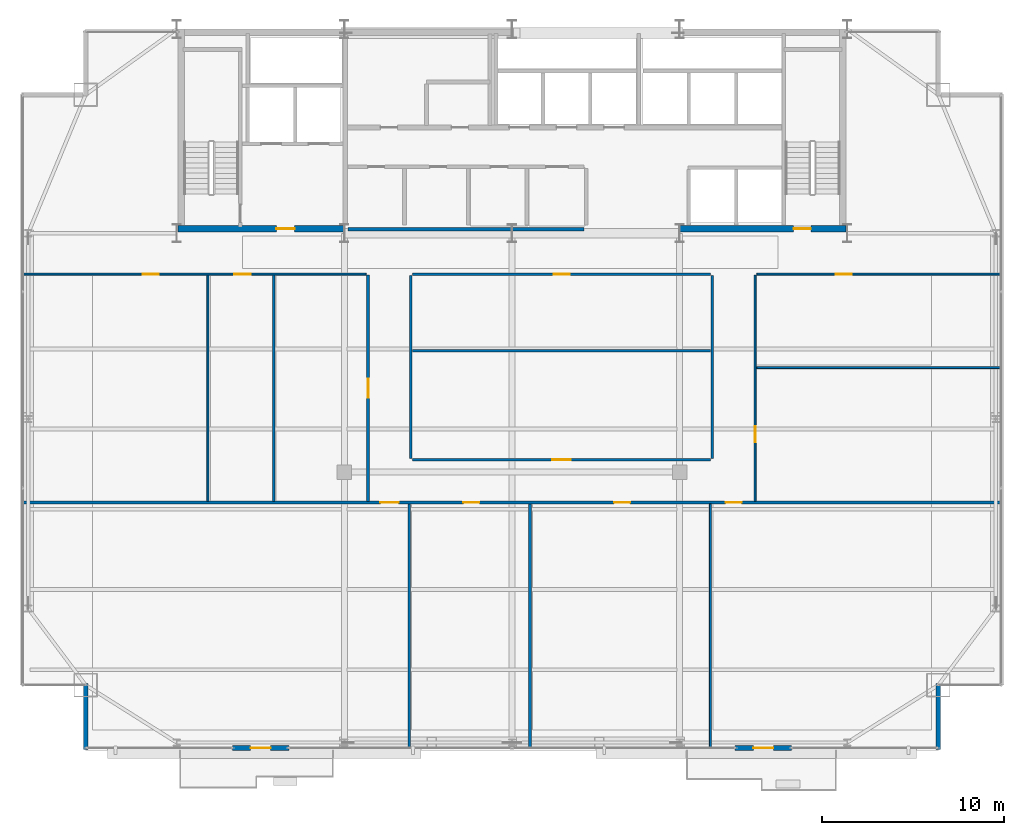
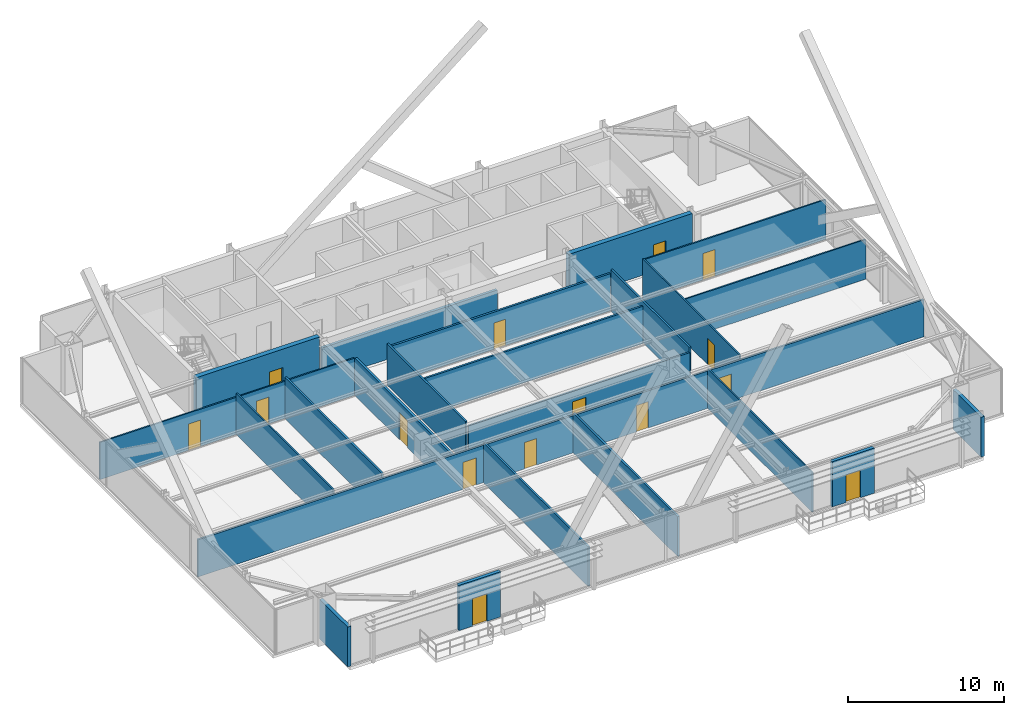
# One storey, part 30 of 34: 23 walls, 15 doors, 15 openings.
"""IFC4 building model written with IfcOpenShell, lengths in metres."""

from ifc_helpers import new_model, si_unit, direction, frame, frame_2d, origin, place, context, subcontext, project, spatial, rectangle, extrude, source, transform, mapped, material, layer, layer_set, type_object, type_shapes, element, fill, save


model = new_model("IFC4")

# Units and contexts
model_context = context("Model", 3, precision=1e-05, world=origin(), true_north=direction((0.0, 1.0)))
body_context = subcontext(model_context, "Body", "Model", "MODEL_VIEW")
ifc_project = project(units=[si_unit("LENGTHUNIT", "METRE"), si_unit("AREAUNIT", "SQUARE_METRE"), si_unit("VOLUMEUNIT", "CUBIC_METRE"), si_unit("PLANEANGLEUNIT", "RADIAN"), si_unit("MASSUNIT", "GRAM", prefix="KILO")], contexts=[model_context])

# Site, building, storey
site_placement = place(None, origin())
site = spatial("IfcSite", under=ifc_project, at=site_placement, CompositionType="ELEMENT")
building_placement = place(site_placement, origin())
building = spatial("IfcBuilding", under=site, at=building_placement, Name="Varnel Quay Broadcast Tower", CompositionType="ELEMENT")
storey_placement = place(building_placement, frame((0.0, 0.0, 176.199951171875)))
storey = spatial("IfcBuildingStorey", under=building, at=storey_placement, Name="L43", CompositionType="ELEMENT", Elevation=176.199951171875)

# Wall, opening, door
ifc_material_1 = material(Name="Concrete CSA A23.3 C50/60", Category="concrete")
ifc_layer_1 = layer(ifc_material_1, 0.35009765625, Name="Concrete CSA A23.3 C50/60")
ifc_layer_set_1 = layer_set([ifc_layer_1], Name="Concrete CSA A23.3 C50/60")
wall_type_1 = type_object("IfcWallType", Name="Wall_CoreShearInt350", PredefinedType="SHEAR", material=ifc_layer_set_1)
wall_1_placement = place(storey_placement, frame((15.669921875, 35.844970703125, 0.0), z_axis=(0.0, 0.0, 1.0), x_axis=(1.0, 0.0, 0.0)))
wall_1 = element("IfcWall", 1, at=wall_1_placement, inside=storey, type_object=wall_type_1, Name="L43 South-West Core Shear Wall", PredefinedType="SHEAR", context=body_context, shape_type="SweptSolid", body=[
    extrude(rectangle(XDim=9.130126953125, YDim=0.35009765625, at=frame_2d((4.56494140625, 0.0))), origin(), (0.0, 0.0, 1.0), 3.550048828125),
])
opening_1_placement = place(wall_1_placement, frame((5.39990234375, 0.0, 0.0)))
opening_1 = element("IfcOpeningElement", 2, at=opening_1_placement, cuts=wall_1, Name="Opening D-L43-FFL", PredefinedType="OPENING", context=body_context, shape_type="SweptSolid", body=[
    extrude(rectangle(XDim=1.0, YDim=2.10009765625, at=frame_2d((0.5, 1.050048828125))), frame((0.0, 0.18505859375, 0.0), z_axis=(0.0, -1.0, 0.0), x_axis=(1.0, 0.0, 0.0)), (0.0, 0.0, 1.0), 0.3701171875),
])
ifc_material_2 = material(Name="Insulated Fire-Rated Hollow Steel Door", Category="steel")
door_type_1 = type_object("IfcDoorType", Name="Door_FireLobby1000", OperationType="NOTDEFINED", PredefinedType="DOOR", material=ifc_material_2)
shared_shape_1 = source(origin(), body_context, "Body", "SweptSolid", [
    extrude(rectangle(XDim=1.0, YDim=2.10009765625, at=frame_2d((0.5, 1.050048828125))), frame((0.0, 0.02490234375, 0.0), z_axis=(0.0, -1.0, 0.0), x_axis=(1.0, 0.0, 0.0)), (0.0, 0.0, 1.0), 0.050048828125),
])
type_shapes(door_type_1, [shared_shape_1])
door_1_placement = place(opening_1_placement, origin())
door_1 = element("IfcDoor", 3, at=door_1_placement, inside=storey, type_object=door_type_1, Name="L43 Firefighting Lobby Door", OperationType="SINGLE_SWING_LEFT", OverallHeight=2.10009765625, OverallWidth=1.0, PredefinedType="DOOR", context=body_context, shape_type="MappedRepresentation", body=[
    mapped(shared_shape_1, transform((0.0, 0.0, 0.0), x_axis=(1.0, 0.0, 0.0), y_axis=(0.0, 1.0, 0.0), z_axis=(0.0, 0.0, 1.0), scale=1.0)),
])
fill(opening_1, door_1)

wall_2_placement = place(storey_placement, frame((43.199951171875, 35.844970703125, 0.0), z_axis=(0.0, 0.0, 1.0), x_axis=(1.0, 0.0, 0.0)))
wall_2 = element("IfcWall", 4, at=wall_2_placement, inside=storey, type_object=wall_type_1, Name="L43 South-East Core Shear Wall", PredefinedType="SHEAR", context=body_context, shape_type="SweptSolid", body=[
    extrude(rectangle(XDim=9.130126953125, YDim=0.35009765625, at=frame_2d((4.56494140625, 0.0))), origin(), (0.0, 0.0, 1.0), 3.550048828125),
])
opening_2_placement = place(wall_2_placement, frame((6.25, 0.0, 0.0)))
opening_2 = element("IfcOpeningElement", 5, at=opening_2_placement, cuts=wall_2, Name="Opening D-L43-S2", PredefinedType="OPENING", context=body_context, shape_type="SweptSolid", body=[
    extrude(rectangle(XDim=0.949951171875, YDim=2.10009765625, at=frame_2d((0.47509765625, 1.050048828125))), frame((0.0, 0.18505859375, 0.0), z_axis=(0.0, -1.0, 0.0), x_axis=(1.0, 0.0, 0.0)), (0.0, 0.0, 1.0), 0.3701171875),
])
door_type_2 = type_object("IfcDoorType", Name="Door_FireStair950", OperationType="NOTDEFINED", PredefinedType="DOOR", material=ifc_material_2)
shared_shape_2 = source(origin(), body_context, "Body", "SweptSolid", [
    extrude(rectangle(XDim=0.949951171875, YDim=2.10009765625, at=frame_2d((0.47509765625, 1.050048828125))), frame((0.0, 0.02490234375, 0.0), z_axis=(0.0, -1.0, 0.0), x_axis=(1.0, 0.0, 0.0)), (0.0, 0.0, 1.0), 0.050048828125),
])
type_shapes(door_type_2, [shared_shape_2])
door_2_placement = place(opening_2_placement, origin())
door_2 = element("IfcDoor", 6, at=door_2_placement, inside=storey, type_object=door_type_2, Name="L43 Stair 2 Fire Door", OperationType="SINGLE_SWING_RIGHT", OverallHeight=2.10009765625, OverallWidth=0.949951171875, PredefinedType="DOOR", context=body_context, shape_type="MappedRepresentation", body=[
    mapped(shared_shape_2, transform((0.0, 0.0, 0.0), x_axis=(1.0, 0.0, 0.0), y_axis=(0.0, 1.0, 0.0), z_axis=(0.0, 0.0, 1.0), scale=1.0)),
])
fill(opening_2, door_2)

ifc_material_3 = material(Name="Precast Architectural Concrete C40/50", Category="concrete")
ifc_layer_2 = layer(ifc_material_3, 0.25, Name="Precast Architectural Concrete C40/50")
ifc_layer_set_2 = layer_set([ifc_layer_2], Name="Precast Architectural Concrete C40/50")
wall_type_2 = type_object("IfcWallType", Name="Wall_ExtTerrace250", PredefinedType="SOLIDWALL", material=ifc_layer_set_2)
wall_3_placement = place(storey_placement, frame((18.64990234375, 7.35009765625, 0.0), z_axis=(0.0, 0.0, 1.0), x_axis=(1.0, 0.0, 0.0)))
wall_3 = element("IfcWall", 7, at=wall_3_placement, inside=storey, type_object=wall_type_2, Name="L43 Terrace Access Wall 1", PredefinedType="SOLIDWALL", context=body_context, shape_type="SweptSolid", body=[
    extrude(rectangle(XDim=3.10009765625, YDim=0.25, at=frame_2d((1.550048828125, 0.0))), origin(), (0.0, 0.0, 1.0), 3.530029296875),
])
opening_3_placement = place(wall_3_placement, frame((1.0, 0.0, 0.0)))
opening_3 = element("IfcOpeningElement", 8, at=opening_3_placement, cuts=wall_3, Name="Opening TD-431", PredefinedType="OPENING", context=body_context, shape_type="SweptSolid", body=[
    extrude(rectangle(XDim=1.10009765625, YDim=2.14990234375, at=frame_2d((0.550048828125, 1.074951171875))), frame((0.0, 0.135009765625, 0.0), z_axis=(0.0, -1.0, 0.0), x_axis=(1.0, 0.0, 0.0)), (0.0, 0.0, 1.0), 0.27001953125),
])
ifc_material_4 = material(Name="Anodised Bronze Aluminium 6063-T6", Category="aluminium")
door_type_3 = type_object("IfcDoorType", Name="Door_ExtTerrace1100", OperationType="NOTDEFINED", PredefinedType="DOOR", material=ifc_material_4)
shared_shape_3 = source(origin(), body_context, "Body", "SweptSolid", [
    extrude(rectangle(XDim=1.10009765625, YDim=2.14990234375, at=frame_2d((0.550048828125, 1.074951171875))), frame((0.0, 0.02490234375, 0.0), z_axis=(0.0, -1.0, 0.0), x_axis=(1.0, 0.0, 0.0)), (0.0, 0.0, 1.0), 0.050048828125),
])
type_shapes(door_type_3, [shared_shape_3])
door_3_placement = place(opening_3_placement, frame((1.10009765625, 0.0, 0.0), z_axis=(0.0, 0.0, 1.0), x_axis=(-1.0, 0.0, 0.0)))
door_3 = element("IfcDoor", 9, at=door_3_placement, inside=storey, type_object=door_type_3, Name="L43 Terrace Door TD-431", OperationType="SINGLE_SWING_LEFT", OverallHeight=2.14990234375, OverallWidth=1.10009765625, PredefinedType="DOOR", context=body_context, shape_type="MappedRepresentation", body=[
    mapped(shared_shape_3, transform((0.0, 0.0, 0.0), x_axis=(1.0, 0.0, 0.0), y_axis=(0.0, 1.0, 0.0), z_axis=(0.0, 0.0, 1.0), scale=1.0)),
])
fill(opening_3, door_3)

wall_4_placement = place(storey_placement, frame((46.25, 7.35009765625, 0.0), z_axis=(0.0, 0.0, 1.0), x_axis=(1.0, 0.0, 0.0)))
wall_4 = element("IfcWall", 10, at=wall_4_placement, inside=storey, type_object=wall_type_2, Name="L43 Terrace Access Wall 2", PredefinedType="SOLIDWALL", context=body_context, shape_type="SweptSolid", body=[
    extrude(rectangle(XDim=3.10009765625, YDim=0.25, at=frame_2d((1.550048828125, 0.0))), origin(), (0.0, 0.0, 1.0), 3.530029296875),
])
opening_4_placement = place(wall_4_placement, frame((1.0, 0.0, 0.0)))
opening_4 = element("IfcOpeningElement", 11, at=opening_4_placement, cuts=wall_4, Name="Opening TD-432", PredefinedType="OPENING", context=body_context, shape_type="SweptSolid", body=[
    extrude(rectangle(XDim=1.10009765625, YDim=2.14990234375, at=frame_2d((0.550048828125, 1.074951171875))), frame((0.0, 0.135009765625, 0.0), z_axis=(0.0, -1.0, 0.0), x_axis=(1.0, 0.0, 0.0)), (0.0, 0.0, 1.0), 0.27001953125),
])
door_4_placement = place(opening_4_placement, frame((1.10009765625, 0.0, 0.0), z_axis=(0.0, 0.0, 1.0), x_axis=(-1.0, 0.0, 0.0)))
door_4 = element("IfcDoor", 12, at=door_4_placement, inside=storey, type_object=door_type_3, Name="L43 Terrace Door TD-432", OperationType="SINGLE_SWING_RIGHT", OverallHeight=2.14990234375, OverallWidth=1.10009765625, PredefinedType="DOOR", context=body_context, shape_type="MappedRepresentation", body=[
    mapped(shared_shape_3, transform((0.0, 0.0, 0.0), x_axis=(1.0, 0.0, 0.0), y_axis=(0.0, 1.0, 0.0), z_axis=(0.0, 0.0, 1.0), scale=1.0)),
])
fill(opening_4, door_4)

# Walls
for number, where, z_axis, x_axis, name in (
    (13, (10.60009765625, 7.280029296875, 0.0), (0.0, 0.0, 1.0), (0.0, 1.0, 0.0), "L43 Mega-Column Notch Cladding Wall NSW2"),
    (14, (57.39990234375, 7.280029296875, 0.0), (0.0, 0.0, 1.0), (0.0, 1.0, 0.0), "L43 Mega-Column Notch Cladding Wall NSE2"),
):
    element("IfcWall", number, at=place(storey_placement, frame(where, z_axis=z_axis, x_axis=x_axis)), inside=storey, type_object=wall_type_2, Name=name, PredefinedType="SOLIDWALL", context=body_context, shape_type="SweptSolid", body=[
        extrude(rectangle(XDim=3.599853515625, YDim=0.25, at=frame_2d((1.7998046875, 0.0))), origin(), (0.0, 0.0, 1.0), 3.108154296875),
    ])
ifc_material_5 = material(Name="Concrete Blockwork Fire Enclosure C40/50", Category="masonry")
ifc_layer_3 = layer(ifc_material_5, 0.199951171875, Name="Concrete Blockwork Fire Enclosure C40/50")
ifc_layer_set_3 = layer_set([ifc_layer_3], Name="Concrete Blockwork Fire Enclosure C40/50")
wall_type_3 = type_object("IfcWallType", Name="Wall_FireShaft200", PredefinedType="SOLIDWALL", material=ifc_layer_set_3)
wall_5_placement = place(storey_placement, frame((25.0, 35.824951171875, 0.0), z_axis=(0.0, 0.0, 1.0), x_axis=(1.0, 0.0, 0.0)))
element("IfcWall", 15, at=wall_5_placement, inside=storey, type_object=wall_type_3, Name="L43 Accessible Universal Washroom Partition 1", PredefinedType="SOLIDWALL", context=body_context, shape_type="SweptSolid", body=[
    extrude(rectangle(XDim=12.949951171875, YDim=0.199951171875, at=frame_2d((6.47509765625, 0.0))), origin(), (0.0, 0.0, 1.0), 2.574951171875),
])
ifc_material_6 = material(Name="Steel-Stud Fire-Rated Acoustic Gypsum Partition Assembly", Category="steel")
ifc_layer_4 = layer(ifc_material_6, 0.10498046875, Name="Steel-Stud Fire-Rated Acoustic Gypsum Partition Assembly")
ifc_layer_set_4 = layer_set([ifc_layer_4], Name="Steel-Stud Fire-Rated Acoustic Gypsum Partition Assembly")
wall_type_4 = type_object("IfcWallType", Name="Wall_Partition105", PredefinedType="PARTITIONING", material=ifc_layer_set_4)
wall_6_placement = place(storey_placement, frame((44.889892578125, 7.3798828125, 0.0), z_axis=(0.0, 0.0, 1.0), x_axis=(0.0, 1.0, 0.0)))
element("IfcWall", 16, at=wall_6_placement, inside=storey, type_object=wall_type_4, Name="L43 Media Tape Archive Store 3 Partition 10", PredefinedType="PARTITIONING", context=body_context, shape_type="SweptSolid", body=[
    extrude(rectangle(XDim=13.3701171875, YDim=0.10498046875, at=frame_2d((6.68505859375, 0.0))), origin(), (0.0, 0.0, 1.0), 3.108154296875),
])
wall_7_placement = place(storey_placement, frame((17.31005859375, 20.889892578125, 0.0), z_axis=(0.0, 0.0, 1.0), x_axis=(0.0, 1.0, 0.0)))
element("IfcWall", 17, at=wall_7_placement, inside=storey, type_object=wall_type_4, Name="L43 Ingest Vault Store 5 Partition 11", PredefinedType="PARTITIONING", context=body_context, shape_type="SweptSolid", body=[
    extrude(rectangle(XDim=12.4072265625, YDim=0.10498046875, at=frame_2d((6.20361328125, 0.0))), origin(), (0.0, 0.0, 1.0), 3.22216796875),
])

# Wall, openings, doors
wall_8_placement = place(storey_placement, frame((7.179931640625, 33.35009765625, 0.0), z_axis=(0.0, 0.0, 1.0), x_axis=(1.0, 0.0, 0.0)))
wall_8 = element("IfcWall", 18, at=wall_8_placement, inside=storey, type_object=wall_type_4, Name="L43 Ingest Vault Store 5 Partition 12", PredefinedType="PARTITIONING", context=body_context, shape_type="SweptSolid", body=[
    extrude(rectangle(XDim=18.820068359375, YDim=0.10498046875, at=frame_2d((9.41015625, 0.0))), origin(), (0.0, 0.0, 1.0), 2.908935546875),
])
opening_5_placement = place(wall_8_placement, frame((6.56005859375, 0.0, 0.0)))
opening_5 = element("IfcOpeningElement", 19, at=opening_5_placement, cuts=wall_8, Name="Opening D-L43-09", PredefinedType="OPENING", context=body_context, shape_type="SweptSolid", body=[
    extrude(rectangle(XDim=0.8798828125, YDim=2.06005859375, at=frame_2d((0.43994140625, 1.030029296875))), frame((0.0, 0.0625, 0.0), z_axis=(0.0, -1.0, 0.0), x_axis=(1.0, 0.0, 0.0)), (0.0, 0.0, 1.0), 0.125),
])
opening_6_placement = place(wall_8_placement, frame((11.574951171875, 0.0, 0.0)))
opening_6 = element("IfcOpeningElement", 20, at=opening_6_placement, cuts=wall_8, Name="Opening D-L43-10", PredefinedType="OPENING", context=body_context, shape_type="SweptSolid", body=[
    extrude(rectangle(XDim=0.919921875, YDim=2.080078125, at=frame_2d((0.4599609375, 1.0400390625))), frame((0.0, 0.0625, 0.0), z_axis=(0.0, -1.0, 0.0), x_axis=(1.0, 0.0, 0.0)), (0.0, 0.0, 1.0), 0.125),
])
ifc_material_7 = material(Name="Solid-Core Fire-Rated Acoustic Oak Veneer Door", Category="wood")
door_type_4 = type_object("IfcDoorType", Name="Door_Booth880", OperationType="NOTDEFINED", PredefinedType="DOOR", material=ifc_material_7)
shared_shape_4 = source(origin(), body_context, "Body", "SweptSolid", [
    extrude(rectangle(XDim=0.8798828125, YDim=2.06005859375, at=frame_2d((0.43994140625, 1.030029296875))), frame((0.0, 0.02490234375, 0.0), z_axis=(0.0, -1.0, 0.0), x_axis=(1.0, 0.0, 0.0)), (0.0, 0.0, 1.0), 0.050048828125),
])
type_shapes(door_type_4, [shared_shape_4])
door_5_placement = place(opening_5_placement, frame((0.8798828125, 0.0, 0.0), z_axis=(0.0, 0.0, 1.0), x_axis=(-1.0, 0.0, 0.0)))
door_5 = element("IfcDoor", 21, at=door_5_placement, inside=storey, type_object=door_type_4, Name="L43 Ingest Vault Store 5 Door D-L43-09", OperationType="SINGLE_SWING_LEFT", OverallHeight=2.06005859375, OverallWidth=0.8798828125, PredefinedType="DOOR", context=body_context, shape_type="MappedRepresentation", body=[
    mapped(shared_shape_4, transform((0.0, 0.0, 0.0), x_axis=(1.0, 0.0, 0.0), y_axis=(0.0, 1.0, 0.0), z_axis=(0.0, 0.0, 1.0), scale=1.0)),
])
fill(opening_5, door_5)
door_type_5 = type_object("IfcDoorType", Name="Door_Office920", OperationType="NOTDEFINED", PredefinedType="DOOR", material=ifc_material_7)
shared_shape_5 = source(origin(), body_context, "Body", "SweptSolid", [
    extrude(rectangle(XDim=0.919921875, YDim=2.080078125, at=frame_2d((0.4599609375, 1.0400390625))), frame((0.0, 0.02490234375, 0.0), z_axis=(0.0, -1.0, 0.0), x_axis=(1.0, 0.0, 0.0)), (0.0, 0.0, 1.0), 0.050048828125),
])
type_shapes(door_type_5, [shared_shape_5])
door_6_placement = place(opening_6_placement, frame((0.919921875, 0.0, 0.0), z_axis=(0.0, 0.0, 1.0), x_axis=(-1.0, 0.0, 0.0)))
door_6 = element("IfcDoor", 22, at=door_6_placement, inside=storey, type_object=door_type_5, Name="L43 Color Timing Suite 6 Door D-L43-10", OperationType="SINGLE_SWING_RIGHT", OverallHeight=2.080078125, OverallWidth=0.919921875, PredefinedType="DOOR", context=body_context, shape_type="MappedRepresentation", body=[
    mapped(shared_shape_5, transform((0.0, 0.0, 0.0), x_axis=(1.0, 0.0, 0.0), y_axis=(0.0, 1.0, 0.0), z_axis=(0.0, 0.0, 1.0), scale=1.0)),
])
fill(opening_6, door_6)

# Wall
wall_9_placement = place(storey_placement, frame((47.43994140625, 28.219970703125, 0.0), z_axis=(0.0, 0.0, 1.0), x_axis=(1.0, 0.0, 0.0)))
element("IfcWall", 23, at=wall_9_placement, inside=storey, type_object=wall_type_4, Name="L43 Media Tape Archive Store 10 Partition 20", PredefinedType="PARTITIONING", context=body_context, shape_type="SweptSolid", body=[
    extrude(rectangle(XDim=13.380126953125, YDim=0.10498046875, at=frame_2d((6.68994140625, 0.0))), origin(), (0.0, 0.0, 1.0), 3.108154296875),
])

# Wall, opening, door
wall_10_placement = place(storey_placement, frame((47.340087890625, 20.889892578125, 0.0), z_axis=(0.0, 0.0, 1.0), x_axis=(0.0, 1.0, 0.0)))
wall_10 = element("IfcWall", 24, at=wall_10_placement, inside=storey, type_object=wall_type_4, Name="L43 Media Tape Archive Store 10 Partition 21", PredefinedType="PARTITIONING", context=body_context, shape_type="SweptSolid", body=[
    extrude(rectangle(XDim=12.4072265625, YDim=0.10498046875, at=frame_2d((6.20361328125, 0.0))), origin(), (0.0, 0.0, 1.0), 3.22216796875),
])
opening_7_placement = place(wall_10_placement, frame((3.239990234375, 0.0, 0.0)))
opening_7 = element("IfcOpeningElement", 25, at=opening_7_placement, cuts=wall_10, Name="Opening D-L43-14", PredefinedType="OPENING", context=body_context, shape_type="SweptSolid", body=[
    extrude(rectangle(XDim=0.8798828125, YDim=2.06005859375, at=frame_2d((0.43994140625, 1.030029296875))), frame((0.0, 0.0625, 0.0), z_axis=(0.0, -1.0, 0.0), x_axis=(1.0, 0.0, 0.0)), (0.0, 0.0, 1.0), 0.125),
])
door_7_placement = place(opening_7_placement, frame((0.8798828125, 0.0, 0.0), z_axis=(0.0, 0.0, 1.0), x_axis=(-1.0, 0.0, 0.0)))
door_7 = element("IfcDoor", 26, at=door_7_placement, inside=storey, type_object=door_type_4, Name="L43 Media Tape Archive Store 10 Door D-L43-14", OperationType="SINGLE_SWING_RIGHT", OverallHeight=2.06005859375, OverallWidth=0.8798828125, PredefinedType="DOOR", context=body_context, shape_type="MappedRepresentation", body=[
    mapped(shared_shape_4, transform((0.0, 0.0, 0.0), x_axis=(1.0, 0.0, 0.0), y_axis=(0.0, 1.0, 0.0), z_axis=(0.0, 0.0, 1.0), scale=1.0)),
])
fill(opening_7, door_7)

wall_11_placement = place(storey_placement, frame((47.43994140625, 33.35009765625, 0.0), z_axis=(0.0, 0.0, 1.0), x_axis=(1.0, 0.0, 0.0)))
wall_11 = element("IfcWall", 27, at=wall_11_placement, inside=storey, type_object=wall_type_4, Name="L43 Lens & Rigging Store 11 Partition 22", PredefinedType="PARTITIONING", context=body_context, shape_type="SweptSolid", body=[
    extrude(rectangle(XDim=13.380126953125, YDim=0.10498046875, at=frame_2d((6.68994140625, 0.0))), origin(), (0.0, 0.0, 1.0), 3.108154296875),
])
opening_8_placement = place(wall_11_placement, frame((4.31494140625, 0.0, 0.0)))
opening_8 = element("IfcOpeningElement", 28, at=opening_8_placement, cuts=wall_11, Name="Opening D-L43-15", PredefinedType="OPENING", context=body_context, shape_type="SweptSolid", body=[
    extrude(rectangle(XDim=0.8798828125, YDim=2.06005859375, at=frame_2d((0.43994140625, 1.030029296875))), frame((0.0, 0.0625, 0.0), z_axis=(0.0, -1.0, 0.0), x_axis=(1.0, 0.0, 0.0)), (0.0, 0.0, 1.0), 0.125),
])
door_8_placement = place(opening_8_placement, frame((0.8798828125, 0.0, 0.0), z_axis=(0.0, 0.0, 1.0), x_axis=(-1.0, 0.0, 0.0)))
door_8 = element("IfcDoor", 29, at=door_8_placement, inside=storey, type_object=door_type_4, Name="L43 Lens & Rigging Store 11 Door D-L43-15", OperationType="SINGLE_SWING_LEFT", OverallHeight=2.06005859375, OverallWidth=0.8798828125, PredefinedType="DOOR", context=body_context, shape_type="MappedRepresentation", body=[
    mapped(shared_shape_4, transform((0.0, 0.0, 0.0), x_axis=(1.0, 0.0, 0.0), y_axis=(0.0, 1.0, 0.0), z_axis=(0.0, 0.0, 1.0), scale=1.0)),
])
fill(opening_8, door_8)

# Wall
ifc_layer_5 = layer(ifc_material_6, 0.139892578125, Name="Steel-Stud Fire-Rated Acoustic Gypsum Partition Assembly")
ifc_layer_set_5 = layer_set([ifc_layer_5], Name="Steel-Stud Fire-Rated Acoustic Gypsum Partition Assembly")
wall_type_5 = type_object("IfcWallType", Name="Wall_Partition140", PredefinedType="PARTITIONING", material=ifc_layer_set_5)
wall_12_placement = place(storey_placement, frame((28.35009765625, 7.3798828125, 0.0), z_axis=(0.0, 0.0, 1.0), x_axis=(0.0, 1.0, 0.0)))
element("IfcWall", 30, at=wall_12_placement, inside=storey, type_object=wall_type_5, Name="L43 Producer Lounge 1 Partition 7", PredefinedType="PARTITIONING", context=body_context, shape_type="SweptSolid", body=[
    extrude(rectangle(XDim=13.3701171875, YDim=0.139892578125, at=frame_2d((6.68505859375, 0.0))), origin(), (0.0, 0.0, 1.0), 3.108154296875),
])

# Wall, openings, doors
wall_13_placement = place(storey_placement, frame((7.179931640625, 20.820068359375, 0.0), z_axis=(0.0, 0.0, 1.0), x_axis=(1.0, 0.0, 0.0)))
wall_13 = element("IfcWall", 31, at=wall_13_placement, inside=storey, type_object=wall_type_5, Name="L43 Producer Lounge 1 Partition 8", PredefinedType="PARTITIONING", context=body_context, shape_type="SweptSolid", body=[
    extrude(rectangle(XDim=53.64013671875, YDim=0.139892578125, at=frame_2d((26.820068359375, 0.0))), origin(), (0.0, 0.0, 1.0), 2.908935546875),
])
opening_9_placement = place(wall_13_placement, frame((19.594970703125, 0.0, 0.0)))
opening_9 = element("IfcOpeningElement", 32, at=opening_9_placement, cuts=wall_13, Name="Opening D-L43-05", PredefinedType="OPENING", context=body_context, shape_type="SweptSolid", body=[
    extrude(rectangle(XDim=1.0, YDim=2.10009765625, at=frame_2d((0.5, 1.050048828125))), frame((0.0, 0.080078125, 0.0), z_axis=(0.0, -1.0, 0.0), x_axis=(1.0, 0.0, 0.0)), (0.0, 0.0, 1.0), 0.159912109375),
])
opening_10_placement = place(wall_13_placement, frame((24.14990234375, 0.0, 0.0)))
opening_10 = element("IfcOpeningElement", 33, at=opening_10_placement, cuts=wall_13, Name="Opening D-L43-06", PredefinedType="OPENING", context=body_context, shape_type="SweptSolid", body=[
    extrude(rectangle(XDim=0.8798828125, YDim=2.06005859375, at=frame_2d((0.43994140625, 1.030029296875))), frame((0.0, 0.080078125, 0.0), z_axis=(0.0, -1.0, 0.0), x_axis=(1.0, 0.0, 0.0)), (0.0, 0.0, 1.0), 0.159912109375),
])
opening_11_placement = place(wall_13_placement, frame((32.419921875, 0.0, 0.0)))
opening_11 = element("IfcOpeningElement", 34, at=opening_11_placement, cuts=wall_13, Name="Opening D-L43-07", PredefinedType="OPENING", context=body_context, shape_type="SweptSolid", body=[
    extrude(rectangle(XDim=0.8798828125, YDim=2.06005859375, at=frame_2d((0.43994140625, 1.030029296875))), frame((0.0, 0.080078125, 0.0), z_axis=(0.0, -1.0, 0.0), x_axis=(1.0, 0.0, 0.0)), (0.0, 0.0, 1.0), 0.159912109375),
])
opening_12_placement = place(wall_13_placement, frame((38.544921875, 0.0, 0.0)))
opening_12 = element("IfcOpeningElement", 35, at=opening_12_placement, cuts=wall_13, Name="Opening D-L43-08", PredefinedType="OPENING", context=body_context, shape_type="SweptSolid", body=[
    extrude(rectangle(XDim=0.8798828125, YDim=2.06005859375, at=frame_2d((0.43994140625, 1.030029296875))), frame((0.0, 0.080078125, 0.0), z_axis=(0.0, -1.0, 0.0), x_axis=(1.0, 0.0, 0.0)), (0.0, 0.0, 1.0), 0.159912109375),
])
door_9_placement = place(opening_10_placement, frame((0.8798828125, 0.0, 0.0), z_axis=(0.0, 0.0, 1.0), x_axis=(-1.0, 0.0, 0.0)))
door_9 = element("IfcDoor", 36, at=door_9_placement, inside=storey, type_object=door_type_4, Name="L43 Tea Kitchen 2 Door D-L43-06", OperationType="SINGLE_SWING_RIGHT", OverallHeight=2.06005859375, OverallWidth=0.8798828125, PredefinedType="DOOR", context=body_context, shape_type="MappedRepresentation", body=[
    mapped(shared_shape_4, transform((0.0, 0.0, 0.0), x_axis=(1.0, 0.0, 0.0), y_axis=(0.0, 1.0, 0.0), z_axis=(0.0, 0.0, 1.0), scale=1.0)),
])
fill(opening_10, door_9)
door_10_placement = place(opening_11_placement, frame((0.8798828125, 0.0, 0.0), z_axis=(0.0, 0.0, 1.0), x_axis=(-1.0, 0.0, 0.0)))
door_10 = element("IfcDoor", 37, at=door_10_placement, inside=storey, type_object=door_type_4, Name="L43 Media Tape Archive Store 3 Door D-L43-07", OperationType="SINGLE_SWING_LEFT", OverallHeight=2.06005859375, OverallWidth=0.8798828125, PredefinedType="DOOR", context=body_context, shape_type="MappedRepresentation", body=[
    mapped(shared_shape_4, transform((0.0, 0.0, 0.0), x_axis=(1.0, 0.0, 0.0), y_axis=(0.0, 1.0, 0.0), z_axis=(0.0, 0.0, 1.0), scale=1.0)),
])
fill(opening_11, door_10)
door_11_placement = place(opening_12_placement, frame((0.8798828125, 0.0, 0.0), z_axis=(0.0, 0.0, 1.0), x_axis=(-1.0, 0.0, 0.0)))
door_11 = element("IfcDoor", 38, at=door_11_placement, inside=storey, type_object=door_type_4, Name="L43 Lens & Rigging Store 4 Door D-L43-08", OperationType="SINGLE_SWING_RIGHT", OverallHeight=2.06005859375, OverallWidth=0.8798828125, PredefinedType="DOOR", context=body_context, shape_type="MappedRepresentation", body=[
    mapped(shared_shape_4, transform((0.0, 0.0, 0.0), x_axis=(1.0, 0.0, 0.0), y_axis=(0.0, 1.0, 0.0), z_axis=(0.0, 0.0, 1.0), scale=1.0)),
])
fill(opening_12, door_11)
door_type_6 = type_object("IfcDoorType", Name="Door_Exec1000", OperationType="NOTDEFINED", PredefinedType="DOOR", material=ifc_material_7)
shared_shape_6 = source(origin(), body_context, "Body", "SweptSolid", [
    extrude(rectangle(XDim=1.0, YDim=2.10009765625, at=frame_2d((0.5, 1.050048828125))), frame((0.0, 0.02490234375, 0.0), z_axis=(0.0, -1.0, 0.0), x_axis=(1.0, 0.0, 0.0)), (0.0, 0.0, 1.0), 0.050048828125),
])
type_shapes(door_type_6, [shared_shape_6])
door_12_placement = place(opening_9_placement, frame((1.0, 0.0, 0.0), z_axis=(0.0, 0.0, 1.0), x_axis=(-1.0, 0.0, 0.0)))
door_12 = element("IfcDoor", 39, at=door_12_placement, inside=storey, type_object=door_type_6, Name="L43 Producer Lounge 1 Door D-L43-05", OperationType="SINGLE_SWING_LEFT", OverallHeight=2.10009765625, OverallWidth=1.0, PredefinedType="DOOR", context=body_context, shape_type="MappedRepresentation", body=[
    mapped(shared_shape_6, transform((0.0, 0.0, 0.0), x_axis=(1.0, 0.0, 0.0), y_axis=(0.0, 1.0, 0.0), z_axis=(0.0, 0.0, 1.0), scale=1.0)),
])
fill(opening_9, door_12)

# Wall, opening, door
wall_14_placement = place(storey_placement, frame((28.550048828125, 23.169921875, 0.0), z_axis=(0.0, 0.0, 1.0), x_axis=(1.0, 0.0, 0.0)))
wall_14 = element("IfcWall", 40, at=wall_14_placement, inside=storey, type_object=wall_type_5, Name="L43 Producer Lounge 8 Partition 15", PredefinedType="PARTITIONING", context=body_context, shape_type="SweptSolid", body=[
    extrude(rectangle(XDim=16.33984375, YDim=0.139892578125, at=frame_2d((8.169921875, 0.0))), origin(), (0.0, 0.0, 1.0), 2.908935546875),
])
opening_13_placement = place(wall_14_placement, frame((7.669921875, 0.0, 0.0)))
opening_13 = element("IfcOpeningElement", 41, at=opening_13_placement, cuts=wall_14, Name="Opening D-L43-12", PredefinedType="OPENING", context=body_context, shape_type="SweptSolid", body=[
    extrude(rectangle(XDim=1.0, YDim=2.10009765625, at=frame_2d((0.5, 1.050048828125))), frame((0.0, 0.080078125, 0.0), z_axis=(0.0, -1.0, 0.0), x_axis=(1.0, 0.0, 0.0)), (0.0, 0.0, 1.0), 0.159912109375),
])
door_13_placement = place(opening_13_placement, origin())
door_13 = element("IfcDoor", 42, at=door_13_placement, inside=storey, type_object=door_type_6, Name="L43 Producer Lounge 8 Door D-L43-12", OperationType="SINGLE_SWING_RIGHT", OverallHeight=2.10009765625, OverallWidth=1.0, PredefinedType="DOOR", context=body_context, shape_type="MappedRepresentation", body=[
    mapped(shared_shape_6, transform((0.0, 0.0, 0.0), x_axis=(1.0, 0.0, 0.0), y_axis=(0.0, 1.0, 0.0), z_axis=(0.0, 0.0, 1.0), scale=1.0)),
])
fill(opening_13, door_13)

# Walls
wall_15_placement = place(storey_placement, frame((44.989990234375, 23.239990234375, 0.0), z_axis=(0.0, 0.0, 1.0), x_axis=(0.0, 1.0, 0.0)))
element("IfcWall", 43, at=wall_15_placement, inside=storey, type_object=wall_type_5, Name="L43 Producer Lounge 8 Partition 16", PredefinedType="PARTITIONING", context=body_context, shape_type="SweptSolid", body=[
    extrude(rectangle(XDim=10.034912109375, YDim=0.139892578125, at=frame_2d((5.017578125, 0.0))), origin(), (0.0, 0.0, 1.0), 3.22216796875),
])
wall_16_placement = place(storey_placement, frame((28.550048828125, 29.14990234375, 0.0), z_axis=(0.0, 0.0, 1.0), x_axis=(1.0, 0.0, 0.0)))
element("IfcWall", 44, at=wall_16_placement, inside=storey, type_object=wall_type_5, Name="L43 Producer Lounge 8 Partition 17", PredefinedType="PARTITIONING", context=body_context, shape_type="SweptSolid", body=[
    extrude(rectangle(XDim=16.33984375, YDim=0.139892578125, at=frame_2d((8.169921875, 0.0))), origin(), (0.0, 0.0, 1.0), 2.908935546875),
])
wall_17_placement = place(storey_placement, frame((28.449951171875, 23.239990234375, 0.0), z_axis=(0.0, 0.0, 1.0), x_axis=(0.0, 1.0, 0.0)))
element("IfcWall", 45, at=wall_17_placement, inside=storey, type_object=wall_type_5, Name="L43 Producer Lounge 8 Partition 18", PredefinedType="PARTITIONING", context=body_context, shape_type="SweptSolid", body=[
    extrude(rectangle(XDim=10.034912109375, YDim=0.139892578125, at=frame_2d((5.017578125, 0.0))), origin(), (0.0, 0.0, 1.0), 3.22216796875),
])
ifc_layer_6 = layer(ifc_material_6, 0.14990234375, Name="Steel-Stud Fire-Rated Acoustic Gypsum Partition Assembly")
ifc_layer_set_6 = layer_set([ifc_layer_6], Name="Steel-Stud Fire-Rated Acoustic Gypsum Partition Assembly")
wall_type_6 = type_object("IfcWallType", Name="Wall_Partition150", PredefinedType="PARTITIONING", material=ifc_layer_set_6)
wall_18_placement = place(storey_placement, frame((34.989990234375, 7.3798828125, 0.0), z_axis=(0.0, 0.0, 1.0), x_axis=(0.0, 1.0, 0.0)))
element("IfcWall", 46, at=wall_18_placement, inside=storey, type_object=wall_type_6, Name="L43 Tea Kitchen 2 Partition 9", PredefinedType="PARTITIONING", context=body_context, shape_type="SweptSolid", body=[
    extrude(rectangle(XDim=13.3701171875, YDim=0.14990234375, at=frame_2d((6.68505859375, 0.0))), origin(), (0.0, 0.0, 1.0), 3.108154296875),
])
wall_19_placement = place(storey_placement, frame((20.919921875, 20.889892578125, 0.0), z_axis=(0.0, 0.0, 1.0), x_axis=(0.0, 1.0, 0.0)))
element("IfcWall", 47, at=wall_19_placement, inside=storey, type_object=wall_type_6, Name="L43 Color Timing Suite 6 Partition 13", PredefinedType="PARTITIONING", context=body_context, shape_type="SweptSolid", body=[
    extrude(rectangle(XDim=12.4072265625, YDim=0.14990234375, at=frame_2d((6.20361328125, 0.0))), origin(), (0.0, 0.0, 1.0), 3.22216796875),
])

# Wall, opening, door
wall_20_placement = place(storey_placement, frame((28.550048828125, 33.35009765625, 0.0), z_axis=(0.0, 0.0, 1.0), x_axis=(1.0, 0.0, 0.0)))
wall_20 = element("IfcWall", 48, at=wall_20_placement, inside=storey, type_object=wall_type_6, Name="L43 Tea Kitchen 9 Partition 19", PredefinedType="PARTITIONING", context=body_context, shape_type="SweptSolid", body=[
    extrude(rectangle(XDim=16.33984375, YDim=0.14990234375, at=frame_2d((8.169921875, 0.0))), origin(), (0.0, 0.0, 1.0), 2.908935546875),
])
opening_14_placement = place(wall_20_placement, frame((7.72998046875, 0.0, 0.0)))
opening_14 = element("IfcOpeningElement", 49, at=opening_14_placement, cuts=wall_20, Name="Opening D-L43-13", PredefinedType="OPENING", context=body_context, shape_type="SweptSolid", body=[
    extrude(rectangle(XDim=0.8798828125, YDim=2.06005859375, at=frame_2d((0.43994140625, 1.030029296875))), frame((0.0, 0.0849609375, 0.0), z_axis=(0.0, -1.0, 0.0), x_axis=(1.0, 0.0, 0.0)), (0.0, 0.0, 1.0), 0.169921875),
])
door_14_placement = place(opening_14_placement, frame((0.8798828125, 0.0, 0.0), z_axis=(0.0, 0.0, 1.0), x_axis=(-1.0, 0.0, 0.0)))
door_14 = element("IfcDoor", 50, at=door_14_placement, inside=storey, type_object=door_type_4, Name="L43 Tea Kitchen 9 Door D-L43-13", OperationType="SINGLE_SWING_LEFT", OverallHeight=2.06005859375, OverallWidth=0.8798828125, PredefinedType="DOOR", context=body_context, shape_type="MappedRepresentation", body=[
    mapped(shared_shape_4, transform((0.0, 0.0, 0.0), x_axis=(1.0, 0.0, 0.0), y_axis=(0.0, 1.0, 0.0), z_axis=(0.0, 0.0, 1.0), scale=1.0)),
])
fill(opening_14, door_14)

ifc_layer_7 = layer(ifc_material_6, 0.175048828125, Name="Steel-Stud Fire-Rated Acoustic Gypsum Partition Assembly")
ifc_layer_set_7 = layer_set([ifc_layer_7], Name="Steel-Stud Fire-Rated Acoustic Gypsum Partition Assembly")
wall_type_7 = type_object("IfcWallType", Name="Wall_Partition175", PredefinedType="PARTITIONING", material=ifc_layer_set_7)
wall_21_placement = place(storey_placement, frame((26.10009765625, 20.889892578125, 0.0), z_axis=(0.0, 0.0, 1.0), x_axis=(0.0, 1.0, 0.0)))
wall_21 = element("IfcWall", 51, at=wall_21_placement, inside=storey, type_object=wall_type_7, Name="L43 Screening Meeting Room 7 Partition 14", PredefinedType="PARTITIONING", context=body_context, shape_type="SweptSolid", body=[
    extrude(rectangle(XDim=12.4072265625, YDim=0.175048828125, at=frame_2d((6.20361328125, 0.0))), origin(), (0.0, 0.0, 1.0), 2.908935546875),
])
opening_15_placement = place(wall_21_placement, frame((5.669921875, 0.0, 0.0)))
opening_15 = element("IfcOpeningElement", 52, at=opening_15_placement, cuts=wall_21, Name="Opening D-L43-11", PredefinedType="OPENING", context=body_context, shape_type="SweptSolid", body=[
    extrude(rectangle(XDim=1.050048828125, YDim=2.10009765625, at=frame_2d((0.52490234375, 1.050048828125))), frame((0.0, 0.09765625, 0.0), z_axis=(0.0, -1.0, 0.0), x_axis=(1.0, 0.0, 0.0)), (0.0, 0.0, 1.0), 0.195068359375),
])
door_type_7 = type_object("IfcDoorType", Name="Door_Meeting1050", OperationType="NOTDEFINED", PredefinedType="DOOR", material=ifc_material_7)
shared_shape_7 = source(origin(), body_context, "Body", "SweptSolid", [
    extrude(rectangle(XDim=1.050048828125, YDim=2.10009765625, at=frame_2d((0.52490234375, 1.050048828125))), frame((0.0, 0.02490234375, 0.0), z_axis=(0.0, -1.0, 0.0), x_axis=(1.0, 0.0, 0.0)), (0.0, 0.0, 1.0), 0.050048828125),
])
type_shapes(door_type_7, [shared_shape_7])
door_15_placement = place(opening_15_placement, origin())
door_15 = element("IfcDoor", 53, at=door_15_placement, inside=storey, type_object=door_type_7, Name="L43 Screening Meeting Room 7 Door D-L43-11", OperationType="SINGLE_SWING_LEFT", OverallHeight=2.10009765625, OverallWidth=1.050048828125, PredefinedType="DOOR", context=body_context, shape_type="MappedRepresentation", body=[
    mapped(shared_shape_7, transform((0.0, 0.0, 0.0), x_axis=(1.0, 0.0, 0.0), y_axis=(0.0, 1.0, 0.0), z_axis=(0.0, 0.0, 1.0), scale=1.0)),
])
fill(opening_15, door_15)

save(model, "model.ifc")
